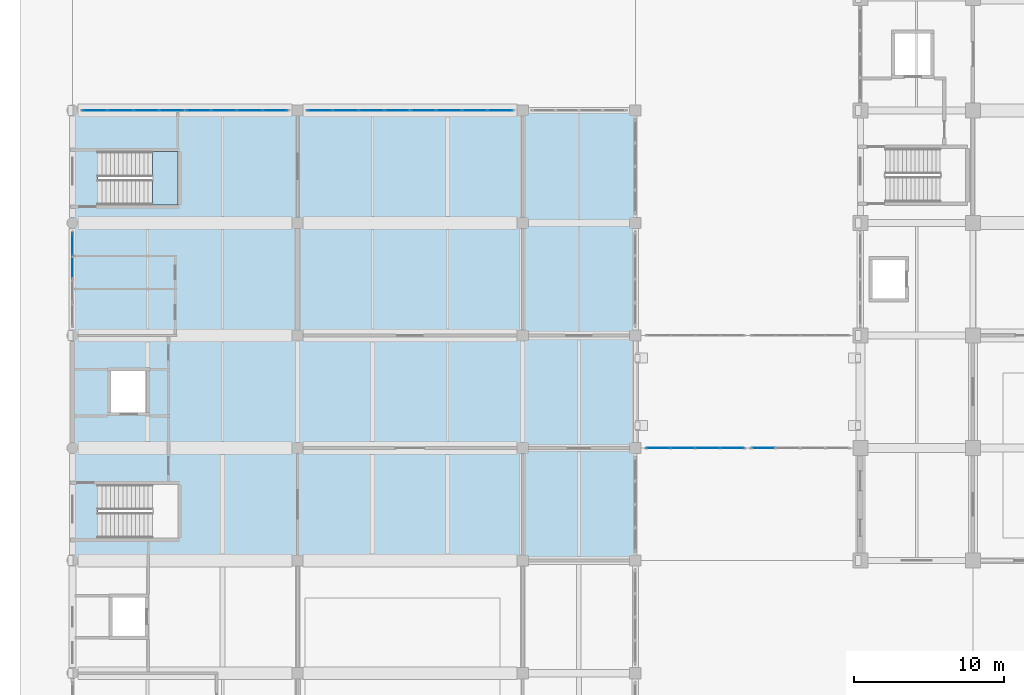
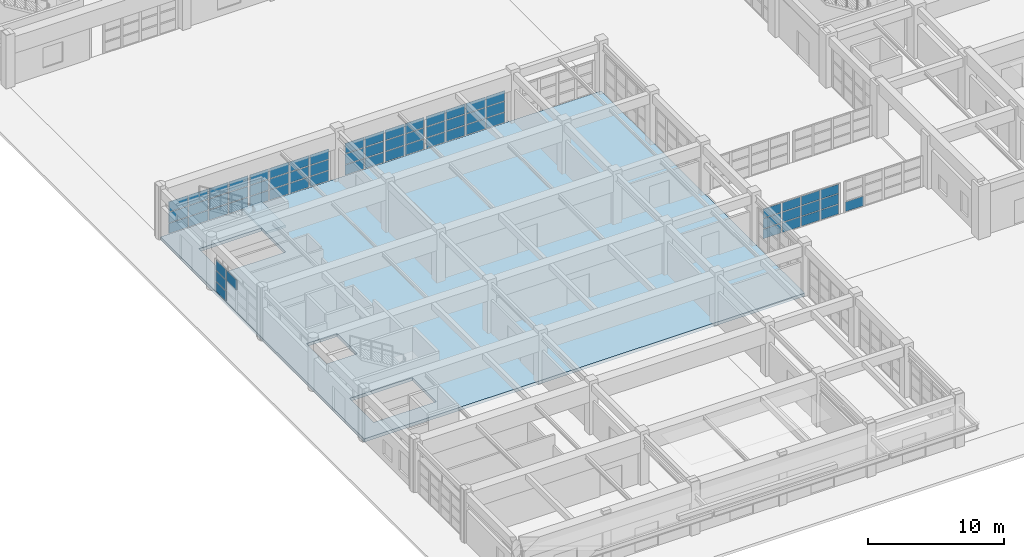
# One storey, part 72 of 122: 65 plates, 2 slabs, 8 elements without a shape of their own.
"""IFC4 building model written with IfcOpenShell, lengths in metres."""

from ifc_helpers import new_model, si_unit, direction, frame, origin, origin_2d, place, context, subcontext, project, spatial, polyline, rectangle, outline, extrude, material, layer, layer_set, type_object, element, aggregate, save


model = new_model("IFC4")

# Units and contexts
model_context = context("Model", 3, precision=1e-05, world=origin(), true_north=direction((0.0, 1.0)))
body_context = subcontext(model_context, "Body", "Model", "MODEL_VIEW")
ifc_project = project(units=[si_unit("LENGTHUNIT", "METRE"), si_unit("AREAUNIT", "SQUARE_METRE"), si_unit("VOLUMEUNIT", "CUBIC_METRE"), si_unit("PLANEANGLEUNIT", "RADIAN"), si_unit("MASSUNIT", "GRAM", prefix="KILO")], contexts=[model_context])

# Site, building, storey
site_placement = place(None, origin())
site = spatial("IfcSite", under=ifc_project, at=site_placement, CompositionType="ELEMENT")
building_placement = place(site_placement, origin())
building = spatial("IfcBuilding", under=site, at=building_placement, Name="Qasida Concert Hall", CompositionType="ELEMENT")
storey_placement = place(building_placement, origin())
storey = spatial("IfcBuildingStorey", under=building, at=storey_placement, Name="L00", CompositionType="ELEMENT", Elevation=0.0)

# Curtain wall, plates
ifc_material_1 = material(Name="Architectural bronze-anodized aluminium and low-E glass", Category="aluminium")
curtain_wall_type_1 = type_object("IfcCurtainWallType", Name="CW-06", PredefinedType="NOTDEFINED", material=ifc_material_1)
curtain_wall_1_placement = place(storey_placement, origin())
curtain_wall_1 = element("IfcCurtainWall", 1, at=curtain_wall_1_placement, inside=storey, type_object=curtain_wall_type_1, Name="L00 curtain wall CW-06 0068", PredefinedType="NOTDEFINED")
ifc_material_2 = material(Name="Solar-control low-E double glazing", Category="glass")
ifc_layer_1 = layer(ifc_material_2, 0.0400390625, Name="Solar-control low-E double glazing")
ifc_layer_set_1 = layer_set([ifc_layer_1], Name="Solar-control low-E double glazing")
plate_type_1 = type_object("IfcPlateType", Name="PLT-CWP-4", PredefinedType="CURTAIN_PANEL", material=ifc_layer_set_1)
plate_1_placement = place(storey_placement, frame((1.496337890625, 52.5, 0.06494140625), z_axis=(0.0, 0.0, 1.0), x_axis=(1.0, 0.0, 0.0)))
plate_1 = element("IfcPlate", 2, at=plate_1_placement, type_object=plate_type_1, Name="CW-06 panel 1.1", PredefinedType="CURTAIN_PANEL", context=body_context, shape_type="SweptSolid", body=[
    extrude(rectangle(XDim=1.612548828125, YDim=0.0400390625, at=origin_2d()), origin(), (0.0, 0.0, 1.0), 0.892578125),
])
plate_2_placement = place(storey_placement, frame((1.496337890625, 52.5, 1.0224609375), z_axis=(0.0, 0.0, 1.0), x_axis=(1.0, 0.0, 0.0)))
plate_2 = element("IfcPlate", 3, at=plate_2_placement, type_object=plate_type_1, Name="CW-06 panel 1.2", PredefinedType="CURTAIN_PANEL", context=body_context, shape_type="SweptSolid", body=[
    extrude(rectangle(XDim=1.612548828125, YDim=0.0400390625, at=origin_2d()), origin(), (0.0, 0.0, 1.0), 0.925048828125),
])
plate_3_placement = place(storey_placement, frame((1.496337890625, 52.5, 2.012451171875), z_axis=(0.0, 0.0, 1.0), x_axis=(1.0, 0.0, 0.0)))
plate_3 = element("IfcPlate", 4, at=plate_3_placement, type_object=plate_type_1, Name="CW-06 panel 1.3", PredefinedType="CURTAIN_PANEL", context=body_context, shape_type="SweptSolid", body=[
    extrude(rectangle(XDim=1.612548828125, YDim=0.0400390625, at=origin_2d()), origin(), (0.0, 0.0, 1.0), 0.892578125),
])
plate_4_placement = place(storey_placement, frame((3.1962890625, 52.5, 0.06494140625), z_axis=(0.0, 0.0, 1.0), x_axis=(1.0, 0.0, 0.0)))
plate_4 = element("IfcPlate", 5, at=plate_4_placement, type_object=plate_type_1, Name="CW-06 panel 2.1", PredefinedType="CURTAIN_PANEL", context=body_context, shape_type="SweptSolid", body=[
    extrude(rectangle(XDim=1.6474609375, YDim=0.0400390625, at=origin_2d()), origin(), (0.0, 0.0, 1.0), 0.892578125),
])
plate_5_placement = place(storey_placement, frame((3.1962890625, 52.5, 1.0224609375), z_axis=(0.0, 0.0, 1.0), x_axis=(1.0, 0.0, 0.0)))
plate_5 = element("IfcPlate", 6, at=plate_5_placement, type_object=plate_type_1, Name="CW-06 panel 2.2", PredefinedType="CURTAIN_PANEL", context=body_context, shape_type="SweptSolid", body=[
    extrude(rectangle(XDim=1.6474609375, YDim=0.0400390625, at=origin_2d()), origin(), (0.0, 0.0, 1.0), 0.925048828125),
])
plate_6_placement = place(storey_placement, frame((3.1962890625, 52.5, 2.012451171875), z_axis=(0.0, 0.0, 1.0), x_axis=(1.0, 0.0, 0.0)))
plate_6 = element("IfcPlate", 7, at=plate_6_placement, type_object=plate_type_1, Name="CW-06 panel 2.3", PredefinedType="CURTAIN_PANEL", context=body_context, shape_type="SweptSolid", body=[
    extrude(rectangle(XDim=1.6474609375, YDim=0.0400390625, at=origin_2d()), origin(), (0.0, 0.0, 1.0), 0.892578125),
])
plate_7_placement = place(storey_placement, frame((4.913818359375, 52.5, 0.06494140625), z_axis=(0.0, 0.0, 1.0), x_axis=(1.0, 0.0, 0.0)))
plate_7 = element("IfcPlate", 8, at=plate_7_placement, type_object=plate_type_1, Name="CW-06 panel 3.1", PredefinedType="CURTAIN_PANEL", context=body_context, shape_type="SweptSolid", body=[
    extrude(rectangle(XDim=1.6474609375, YDim=0.0400390625, at=origin_2d()), origin(), (0.0, 0.0, 1.0), 0.892578125),
])
plate_8_placement = place(storey_placement, frame((4.913818359375, 52.5, 1.0224609375), z_axis=(0.0, 0.0, 1.0), x_axis=(1.0, 0.0, 0.0)))
plate_8 = element("IfcPlate", 9, at=plate_8_placement, type_object=plate_type_1, Name="CW-06 panel 3.2", PredefinedType="CURTAIN_PANEL", context=body_context, shape_type="SweptSolid", body=[
    extrude(rectangle(XDim=1.6474609375, YDim=0.0400390625, at=origin_2d()), origin(), (0.0, 0.0, 1.0), 0.925048828125),
])
plate_9_placement = place(storey_placement, frame((4.913818359375, 52.5, 2.012451171875), z_axis=(0.0, 0.0, 1.0), x_axis=(1.0, 0.0, 0.0)))
plate_9 = element("IfcPlate", 10, at=plate_9_placement, type_object=plate_type_1, Name="CW-06 panel 3.3", PredefinedType="CURTAIN_PANEL", context=body_context, shape_type="SweptSolid", body=[
    extrude(rectangle(XDim=1.6474609375, YDim=0.0400390625, at=origin_2d()), origin(), (0.0, 0.0, 1.0), 0.892578125),
])
plate_10_placement = place(storey_placement, frame((6.61376953125, 52.5, 0.06494140625), z_axis=(0.0, 0.0, 1.0), x_axis=(1.0, 0.0, 0.0)))
plate_10 = element("IfcPlate", 11, at=plate_10_placement, type_object=plate_type_1, Name="CW-06 panel 4.1", PredefinedType="CURTAIN_PANEL", context=body_context, shape_type="SweptSolid", body=[
    extrude(rectangle(XDim=1.612548828125, YDim=0.0400390625, at=origin_2d()), origin(), (0.0, 0.0, 1.0), 0.892578125),
])
plate_11_placement = place(storey_placement, frame((6.61376953125, 52.5, 1.0224609375), z_axis=(0.0, 0.0, 1.0), x_axis=(1.0, 0.0, 0.0)))
plate_11 = element("IfcPlate", 12, at=plate_11_placement, type_object=plate_type_1, Name="CW-06 panel 4.2", PredefinedType="CURTAIN_PANEL", context=body_context, shape_type="SweptSolid", body=[
    extrude(rectangle(XDim=1.612548828125, YDim=0.0400390625, at=origin_2d()), origin(), (0.0, 0.0, 1.0), 0.925048828125),
])
plate_12_placement = place(storey_placement, frame((6.61376953125, 52.5, 2.012451171875), z_axis=(0.0, 0.0, 1.0), x_axis=(1.0, 0.0, 0.0)))
plate_12 = element("IfcPlate", 13, at=plate_12_placement, type_object=plate_type_1, Name="CW-06 panel 4.3", PredefinedType="CURTAIN_PANEL", context=body_context, shape_type="SweptSolid", body=[
    extrude(rectangle(XDim=1.612548828125, YDim=0.0400390625, at=origin_2d()), origin(), (0.0, 0.0, 1.0), 0.892578125),
])
aggregate(curtain_wall_1, [plate_1, plate_2, plate_3, plate_4, plate_5, plate_6, plate_7, plate_8, plate_9, plate_10, plate_11, plate_12])

curtain_wall_2_placement = place(storey_placement, origin())
curtain_wall_2 = element("IfcCurtainWall", 14, at=curtain_wall_2_placement, inside=storey, type_object=curtain_wall_type_1, Name="L00 curtain wall CW-06 0069", PredefinedType="NOTDEFINED")
plate_13_placement = place(storey_placement, frame((8.38623046875, 52.5, 0.06494140625), z_axis=(0.0, 0.0, 1.0), x_axis=(1.0, 0.0, 0.0)))
plate_13 = element("IfcPlate", 15, at=plate_13_placement, type_object=plate_type_1, Name="CW-06 panel 1.1", PredefinedType="CURTAIN_PANEL", context=body_context, shape_type="SweptSolid", body=[
    extrude(rectangle(XDim=1.612548828125, YDim=0.0400390625, at=origin_2d()), origin(), (0.0, 0.0, 1.0), 0.892578125),
])
plate_14_placement = place(storey_placement, frame((8.38623046875, 52.5, 1.0224609375), z_axis=(0.0, 0.0, 1.0), x_axis=(1.0, 0.0, 0.0)))
plate_14 = element("IfcPlate", 16, at=plate_14_placement, type_object=plate_type_1, Name="CW-06 panel 1.2", PredefinedType="CURTAIN_PANEL", context=body_context, shape_type="SweptSolid", body=[
    extrude(rectangle(XDim=1.612548828125, YDim=0.0400390625, at=origin_2d()), origin(), (0.0, 0.0, 1.0), 0.925048828125),
])
plate_15_placement = place(storey_placement, frame((8.38623046875, 52.5, 2.012451171875), z_axis=(0.0, 0.0, 1.0), x_axis=(1.0, 0.0, 0.0)))
plate_15 = element("IfcPlate", 17, at=plate_15_placement, type_object=plate_type_1, Name="CW-06 panel 1.3", PredefinedType="CURTAIN_PANEL", context=body_context, shape_type="SweptSolid", body=[
    extrude(rectangle(XDim=1.612548828125, YDim=0.0400390625, at=origin_2d()), origin(), (0.0, 0.0, 1.0), 0.892578125),
])
plate_16_placement = place(storey_placement, frame((10.086181640625, 52.5, 0.06494140625), z_axis=(0.0, 0.0, 1.0), x_axis=(1.0, 0.0, 0.0)))
plate_16 = element("IfcPlate", 18, at=plate_16_placement, type_object=plate_type_1, Name="CW-06 panel 2.1", PredefinedType="CURTAIN_PANEL", context=body_context, shape_type="SweptSolid", body=[
    extrude(rectangle(XDim=1.6474609375, YDim=0.0400390625, at=origin_2d()), origin(), (0.0, 0.0, 1.0), 0.892578125),
])
plate_17_placement = place(storey_placement, frame((10.086181640625, 52.5, 1.0224609375), z_axis=(0.0, 0.0, 1.0), x_axis=(1.0, 0.0, 0.0)))
plate_17 = element("IfcPlate", 19, at=plate_17_placement, type_object=plate_type_1, Name="CW-06 panel 2.2", PredefinedType="CURTAIN_PANEL", context=body_context, shape_type="SweptSolid", body=[
    extrude(rectangle(XDim=1.6474609375, YDim=0.0400390625, at=origin_2d()), origin(), (0.0, 0.0, 1.0), 0.925048828125),
])
plate_18_placement = place(storey_placement, frame((10.086181640625, 52.5, 2.012451171875), z_axis=(0.0, 0.0, 1.0), x_axis=(1.0, 0.0, 0.0)))
plate_18 = element("IfcPlate", 20, at=plate_18_placement, type_object=plate_type_1, Name="CW-06 panel 2.3", PredefinedType="CURTAIN_PANEL", context=body_context, shape_type="SweptSolid", body=[
    extrude(rectangle(XDim=1.6474609375, YDim=0.0400390625, at=origin_2d()), origin(), (0.0, 0.0, 1.0), 0.892578125),
])
plate_19_placement = place(storey_placement, frame((11.8037109375, 52.5, 0.06494140625), z_axis=(0.0, 0.0, 1.0), x_axis=(1.0, 0.0, 0.0)))
plate_19 = element("IfcPlate", 21, at=plate_19_placement, type_object=plate_type_1, Name="CW-06 panel 3.1", PredefinedType="CURTAIN_PANEL", context=body_context, shape_type="SweptSolid", body=[
    extrude(rectangle(XDim=1.6474609375, YDim=0.0400390625, at=origin_2d()), origin(), (0.0, 0.0, 1.0), 0.892578125),
])
plate_20_placement = place(storey_placement, frame((11.8037109375, 52.5, 1.0224609375), z_axis=(0.0, 0.0, 1.0), x_axis=(1.0, 0.0, 0.0)))
plate_20 = element("IfcPlate", 22, at=plate_20_placement, type_object=plate_type_1, Name="CW-06 panel 3.2", PredefinedType="CURTAIN_PANEL", context=body_context, shape_type="SweptSolid", body=[
    extrude(rectangle(XDim=1.6474609375, YDim=0.0400390625, at=origin_2d()), origin(), (0.0, 0.0, 1.0), 0.925048828125),
])
plate_21_placement = place(storey_placement, frame((11.8037109375, 52.5, 2.012451171875), z_axis=(0.0, 0.0, 1.0), x_axis=(1.0, 0.0, 0.0)))
plate_21 = element("IfcPlate", 23, at=plate_21_placement, type_object=plate_type_1, Name="CW-06 panel 3.3", PredefinedType="CURTAIN_PANEL", context=body_context, shape_type="SweptSolid", body=[
    extrude(rectangle(XDim=1.6474609375, YDim=0.0400390625, at=origin_2d()), origin(), (0.0, 0.0, 1.0), 0.892578125),
])
plate_22_placement = place(storey_placement, frame((13.503662109375, 52.5, 0.06494140625), z_axis=(0.0, 0.0, 1.0), x_axis=(1.0, 0.0, 0.0)))
plate_22 = element("IfcPlate", 24, at=plate_22_placement, type_object=plate_type_1, Name="CW-06 panel 4.1", PredefinedType="CURTAIN_PANEL", context=body_context, shape_type="SweptSolid", body=[
    extrude(rectangle(XDim=1.612548828125, YDim=0.0400390625, at=origin_2d()), origin(), (0.0, 0.0, 1.0), 0.892578125),
])
plate_23_placement = place(storey_placement, frame((13.503662109375, 52.5, 1.0224609375), z_axis=(0.0, 0.0, 1.0), x_axis=(1.0, 0.0, 0.0)))
plate_23 = element("IfcPlate", 25, at=plate_23_placement, type_object=plate_type_1, Name="CW-06 panel 4.2", PredefinedType="CURTAIN_PANEL", context=body_context, shape_type="SweptSolid", body=[
    extrude(rectangle(XDim=1.612548828125, YDim=0.0400390625, at=origin_2d()), origin(), (0.0, 0.0, 1.0), 0.925048828125),
])
plate_24_placement = place(storey_placement, frame((13.503662109375, 52.5, 2.012451171875), z_axis=(0.0, 0.0, 1.0), x_axis=(1.0, 0.0, 0.0)))
plate_24 = element("IfcPlate", 26, at=plate_24_placement, type_object=plate_type_1, Name="CW-06 panel 4.3", PredefinedType="CURTAIN_PANEL", context=body_context, shape_type="SweptSolid", body=[
    extrude(rectangle(XDim=1.612548828125, YDim=0.0400390625, at=origin_2d()), origin(), (0.0, 0.0, 1.0), 0.892578125),
])
aggregate(curtain_wall_2, [plate_13, plate_14, plate_15, plate_16, plate_17, plate_18, plate_19, plate_20, plate_21, plate_22, plate_23, plate_24])

curtain_wall_3_placement = place(storey_placement, origin())
curtain_wall_3 = element("IfcCurtainWall", 27, at=curtain_wall_3_placement, inside=storey, type_object=curtain_wall_type_1, Name="L00 curtain wall CW-06 0070", PredefinedType="NOTDEFINED")
plate_25_placement = place(storey_placement, frame((16.496337890625, 52.5, 0.06494140625), z_axis=(0.0, 0.0, 1.0), x_axis=(1.0, 0.0, 0.0)))
plate_25 = element("IfcPlate", 28, at=plate_25_placement, type_object=plate_type_1, Name="CW-06 panel 1.1", PredefinedType="CURTAIN_PANEL", context=body_context, shape_type="SweptSolid", body=[
    extrude(rectangle(XDim=1.612548828125, YDim=0.0400390625, at=origin_2d()), origin(), (0.0, 0.0, 1.0), 0.892578125),
])
plate_26_placement = place(storey_placement, frame((16.496337890625, 52.5, 1.0224609375), z_axis=(0.0, 0.0, 1.0), x_axis=(1.0, 0.0, 0.0)))
plate_26 = element("IfcPlate", 29, at=plate_26_placement, type_object=plate_type_1, Name="CW-06 panel 1.2", PredefinedType="CURTAIN_PANEL", context=body_context, shape_type="SweptSolid", body=[
    extrude(rectangle(XDim=1.612548828125, YDim=0.0400390625, at=origin_2d()), origin(), (0.0, 0.0, 1.0), 0.925048828125),
])
plate_27_placement = place(storey_placement, frame((16.496337890625, 52.5, 2.012451171875), z_axis=(0.0, 0.0, 1.0), x_axis=(1.0, 0.0, 0.0)))
plate_27 = element("IfcPlate", 30, at=plate_27_placement, type_object=plate_type_1, Name="CW-06 panel 1.3", PredefinedType="CURTAIN_PANEL", context=body_context, shape_type="SweptSolid", body=[
    extrude(rectangle(XDim=1.612548828125, YDim=0.0400390625, at=origin_2d()), origin(), (0.0, 0.0, 1.0), 0.892578125),
])
plate_28_placement = place(storey_placement, frame((18.1962890625, 52.5, 0.06494140625), z_axis=(0.0, 0.0, 1.0), x_axis=(1.0, 0.0, 0.0)))
plate_28 = element("IfcPlate", 31, at=plate_28_placement, type_object=plate_type_1, Name="CW-06 panel 2.1", PredefinedType="CURTAIN_PANEL", context=body_context, shape_type="SweptSolid", body=[
    extrude(rectangle(XDim=1.6474609375, YDim=0.0400390625, at=origin_2d()), origin(), (0.0, 0.0, 1.0), 0.892578125),
])
plate_29_placement = place(storey_placement, frame((18.1962890625, 52.5, 1.0224609375), z_axis=(0.0, 0.0, 1.0), x_axis=(1.0, 0.0, 0.0)))
plate_29 = element("IfcPlate", 32, at=plate_29_placement, type_object=plate_type_1, Name="CW-06 panel 2.2", PredefinedType="CURTAIN_PANEL", context=body_context, shape_type="SweptSolid", body=[
    extrude(rectangle(XDim=1.6474609375, YDim=0.0400390625, at=origin_2d()), origin(), (0.0, 0.0, 1.0), 0.925048828125),
])
plate_30_placement = place(storey_placement, frame((18.1962890625, 52.5, 2.012451171875), z_axis=(0.0, 0.0, 1.0), x_axis=(1.0, 0.0, 0.0)))
plate_30 = element("IfcPlate", 33, at=plate_30_placement, type_object=plate_type_1, Name="CW-06 panel 2.3", PredefinedType="CURTAIN_PANEL", context=body_context, shape_type="SweptSolid", body=[
    extrude(rectangle(XDim=1.6474609375, YDim=0.0400390625, at=origin_2d()), origin(), (0.0, 0.0, 1.0), 0.892578125),
])
plate_31_placement = place(storey_placement, frame((19.913818359375, 52.5, 0.06494140625), z_axis=(0.0, 0.0, 1.0), x_axis=(1.0, 0.0, 0.0)))
plate_31 = element("IfcPlate", 34, at=plate_31_placement, type_object=plate_type_1, Name="CW-06 panel 3.1", PredefinedType="CURTAIN_PANEL", context=body_context, shape_type="SweptSolid", body=[
    extrude(rectangle(XDim=1.6474609375, YDim=0.0400390625, at=origin_2d()), origin(), (0.0, 0.0, 1.0), 0.892578125),
])
plate_32_placement = place(storey_placement, frame((19.913818359375, 52.5, 1.0224609375), z_axis=(0.0, 0.0, 1.0), x_axis=(1.0, 0.0, 0.0)))
plate_32 = element("IfcPlate", 35, at=plate_32_placement, type_object=plate_type_1, Name="CW-06 panel 3.2", PredefinedType="CURTAIN_PANEL", context=body_context, shape_type="SweptSolid", body=[
    extrude(rectangle(XDim=1.6474609375, YDim=0.0400390625, at=origin_2d()), origin(), (0.0, 0.0, 1.0), 0.925048828125),
])
plate_33_placement = place(storey_placement, frame((19.913818359375, 52.5, 2.012451171875), z_axis=(0.0, 0.0, 1.0), x_axis=(1.0, 0.0, 0.0)))
plate_33 = element("IfcPlate", 36, at=plate_33_placement, type_object=plate_type_1, Name="CW-06 panel 3.3", PredefinedType="CURTAIN_PANEL", context=body_context, shape_type="SweptSolid", body=[
    extrude(rectangle(XDim=1.6474609375, YDim=0.0400390625, at=origin_2d()), origin(), (0.0, 0.0, 1.0), 0.892578125),
])
plate_34_placement = place(storey_placement, frame((21.61376953125, 52.5, 0.06494140625), z_axis=(0.0, 0.0, 1.0), x_axis=(1.0, 0.0, 0.0)))
plate_34 = element("IfcPlate", 37, at=plate_34_placement, type_object=plate_type_1, Name="CW-06 panel 4.1", PredefinedType="CURTAIN_PANEL", context=body_context, shape_type="SweptSolid", body=[
    extrude(rectangle(XDim=1.612548828125, YDim=0.0400390625, at=origin_2d()), origin(), (0.0, 0.0, 1.0), 0.892578125),
])
plate_35_placement = place(storey_placement, frame((21.61376953125, 52.5, 1.0224609375), z_axis=(0.0, 0.0, 1.0), x_axis=(1.0, 0.0, 0.0)))
plate_35 = element("IfcPlate", 38, at=plate_35_placement, type_object=plate_type_1, Name="CW-06 panel 4.2", PredefinedType="CURTAIN_PANEL", context=body_context, shape_type="SweptSolid", body=[
    extrude(rectangle(XDim=1.612548828125, YDim=0.0400390625, at=origin_2d()), origin(), (0.0, 0.0, 1.0), 0.925048828125),
])
plate_36_placement = place(storey_placement, frame((21.61376953125, 52.5, 2.012451171875), z_axis=(0.0, 0.0, 1.0), x_axis=(1.0, 0.0, 0.0)))
plate_36 = element("IfcPlate", 39, at=plate_36_placement, type_object=plate_type_1, Name="CW-06 panel 4.3", PredefinedType="CURTAIN_PANEL", context=body_context, shape_type="SweptSolid", body=[
    extrude(rectangle(XDim=1.612548828125, YDim=0.0400390625, at=origin_2d()), origin(), (0.0, 0.0, 1.0), 0.892578125),
])
aggregate(curtain_wall_3, [plate_25, plate_26, plate_27, plate_28, plate_29, plate_30, plate_31, plate_32, plate_33, plate_34, plate_35, plate_36])

curtain_wall_4_placement = place(storey_placement, origin())
curtain_wall_4 = element("IfcCurtainWall", 40, at=curtain_wall_4_placement, inside=storey, type_object=curtain_wall_type_1, Name="L00 curtain wall CW-06 0071", PredefinedType="NOTDEFINED")
plate_37_placement = place(storey_placement, frame((23.38623046875, 52.5, 0.06494140625), z_axis=(0.0, 0.0, 1.0), x_axis=(1.0, 0.0, 0.0)))
plate_37 = element("IfcPlate", 41, at=plate_37_placement, type_object=plate_type_1, Name="CW-06 panel 1.1", PredefinedType="CURTAIN_PANEL", context=body_context, shape_type="SweptSolid", body=[
    extrude(rectangle(XDim=1.612548828125, YDim=0.0400390625, at=origin_2d()), origin(), (0.0, 0.0, 1.0), 0.892578125),
])
plate_38_placement = place(storey_placement, frame((23.38623046875, 52.5, 1.0224609375), z_axis=(0.0, 0.0, 1.0), x_axis=(1.0, 0.0, 0.0)))
plate_38 = element("IfcPlate", 42, at=plate_38_placement, type_object=plate_type_1, Name="CW-06 panel 1.2", PredefinedType="CURTAIN_PANEL", context=body_context, shape_type="SweptSolid", body=[
    extrude(rectangle(XDim=1.612548828125, YDim=0.0400390625, at=origin_2d()), origin(), (0.0, 0.0, 1.0), 0.925048828125),
])
plate_39_placement = place(storey_placement, frame((23.38623046875, 52.5, 2.012451171875), z_axis=(0.0, 0.0, 1.0), x_axis=(1.0, 0.0, 0.0)))
plate_39 = element("IfcPlate", 43, at=plate_39_placement, type_object=plate_type_1, Name="CW-06 panel 1.3", PredefinedType="CURTAIN_PANEL", context=body_context, shape_type="SweptSolid", body=[
    extrude(rectangle(XDim=1.612548828125, YDim=0.0400390625, at=origin_2d()), origin(), (0.0, 0.0, 1.0), 0.892578125),
])
plate_40_placement = place(storey_placement, frame((25.086181640625, 52.5, 0.06494140625), z_axis=(0.0, 0.0, 1.0), x_axis=(1.0, 0.0, 0.0)))
plate_40 = element("IfcPlate", 44, at=plate_40_placement, type_object=plate_type_1, Name="CW-06 panel 2.1", PredefinedType="CURTAIN_PANEL", context=body_context, shape_type="SweptSolid", body=[
    extrude(rectangle(XDim=1.6474609375, YDim=0.0400390625, at=origin_2d()), origin(), (0.0, 0.0, 1.0), 0.892578125),
])
plate_41_placement = place(storey_placement, frame((25.086181640625, 52.5, 1.0224609375), z_axis=(0.0, 0.0, 1.0), x_axis=(1.0, 0.0, 0.0)))
plate_41 = element("IfcPlate", 45, at=plate_41_placement, type_object=plate_type_1, Name="CW-06 panel 2.2", PredefinedType="CURTAIN_PANEL", context=body_context, shape_type="SweptSolid", body=[
    extrude(rectangle(XDim=1.6474609375, YDim=0.0400390625, at=origin_2d()), origin(), (0.0, 0.0, 1.0), 0.925048828125),
])
plate_42_placement = place(storey_placement, frame((25.086181640625, 52.5, 2.012451171875), z_axis=(0.0, 0.0, 1.0), x_axis=(1.0, 0.0, 0.0)))
plate_42 = element("IfcPlate", 46, at=plate_42_placement, type_object=plate_type_1, Name="CW-06 panel 2.3", PredefinedType="CURTAIN_PANEL", context=body_context, shape_type="SweptSolid", body=[
    extrude(rectangle(XDim=1.6474609375, YDim=0.0400390625, at=origin_2d()), origin(), (0.0, 0.0, 1.0), 0.892578125),
])
plate_43_placement = place(storey_placement, frame((26.8037109375, 52.5, 0.06494140625), z_axis=(0.0, 0.0, 1.0), x_axis=(1.0, 0.0, 0.0)))
plate_43 = element("IfcPlate", 47, at=plate_43_placement, type_object=plate_type_1, Name="CW-06 panel 3.1", PredefinedType="CURTAIN_PANEL", context=body_context, shape_type="SweptSolid", body=[
    extrude(rectangle(XDim=1.6474609375, YDim=0.0400390625, at=origin_2d()), origin(), (0.0, 0.0, 1.0), 0.892578125),
])
plate_44_placement = place(storey_placement, frame((26.8037109375, 52.5, 1.0224609375), z_axis=(0.0, 0.0, 1.0), x_axis=(1.0, 0.0, 0.0)))
plate_44 = element("IfcPlate", 48, at=plate_44_placement, type_object=plate_type_1, Name="CW-06 panel 3.2", PredefinedType="CURTAIN_PANEL", context=body_context, shape_type="SweptSolid", body=[
    extrude(rectangle(XDim=1.6474609375, YDim=0.0400390625, at=origin_2d()), origin(), (0.0, 0.0, 1.0), 0.925048828125),
])
plate_45_placement = place(storey_placement, frame((26.8037109375, 52.5, 2.012451171875), z_axis=(0.0, 0.0, 1.0), x_axis=(1.0, 0.0, 0.0)))
plate_45 = element("IfcPlate", 49, at=plate_45_placement, type_object=plate_type_1, Name="CW-06 panel 3.3", PredefinedType="CURTAIN_PANEL", context=body_context, shape_type="SweptSolid", body=[
    extrude(rectangle(XDim=1.6474609375, YDim=0.0400390625, at=origin_2d()), origin(), (0.0, 0.0, 1.0), 0.892578125),
])
plate_46_placement = place(storey_placement, frame((28.503662109375, 52.5, 0.06494140625), z_axis=(0.0, 0.0, 1.0), x_axis=(1.0, 0.0, 0.0)))
plate_46 = element("IfcPlate", 50, at=plate_46_placement, type_object=plate_type_1, Name="CW-06 panel 4.1", PredefinedType="CURTAIN_PANEL", context=body_context, shape_type="SweptSolid", body=[
    extrude(rectangle(XDim=1.612548828125, YDim=0.0400390625, at=origin_2d()), origin(), (0.0, 0.0, 1.0), 0.892578125),
])
plate_47_placement = place(storey_placement, frame((28.503662109375, 52.5, 1.0224609375), z_axis=(0.0, 0.0, 1.0), x_axis=(1.0, 0.0, 0.0)))
plate_47 = element("IfcPlate", 51, at=plate_47_placement, type_object=plate_type_1, Name="CW-06 panel 4.2", PredefinedType="CURTAIN_PANEL", context=body_context, shape_type="SweptSolid", body=[
    extrude(rectangle(XDim=1.612548828125, YDim=0.0400390625, at=origin_2d()), origin(), (0.0, 0.0, 1.0), 0.925048828125),
])
plate_48_placement = place(storey_placement, frame((28.503662109375, 52.5, 2.012451171875), z_axis=(0.0, 0.0, 1.0), x_axis=(1.0, 0.0, 0.0)))
plate_48 = element("IfcPlate", 52, at=plate_48_placement, type_object=plate_type_1, Name="CW-06 panel 4.3", PredefinedType="CURTAIN_PANEL", context=body_context, shape_type="SweptSolid", body=[
    extrude(rectangle(XDim=1.612548828125, YDim=0.0400390625, at=origin_2d()), origin(), (0.0, 0.0, 1.0), 0.892578125),
])
aggregate(curtain_wall_4, [plate_37, plate_38, plate_39, plate_40, plate_41, plate_42, plate_43, plate_44, plate_45, plate_46, plate_47, plate_48])

curtain_wall_5_placement = place(storey_placement, origin())
curtain_wall_5 = element("IfcCurtainWall", 53, at=curtain_wall_5_placement, inside=storey, type_object=curtain_wall_type_1, Name="L00 curtain wall CW-06 0078", PredefinedType="NOTDEFINED")
plate_49_placement = place(storey_placement, frame((0.0, 42.032470703125, 2.012451171875), z_axis=(0.0, 0.0, 1.0), x_axis=(0.0, 1.0, 0.0)))
plate_49 = element("IfcPlate", 54, at=plate_49_placement, type_object=plate_type_1, Name="CW-06 panel 3.3", PredefinedType="CURTAIN_PANEL", context=body_context, shape_type="SweptSolid", body=[
    extrude(rectangle(XDim=1.4951171875, YDim=0.0400390625, at=origin_2d()), origin(), (0.0, 0.0, 1.0), 0.892578125),
])
plate_50_placement = place(storey_placement, frame((0.0, 43.580078125, 0.06494140625), z_axis=(0.0, 0.0, 1.0), x_axis=(0.0, 1.0, 0.0)))
plate_50 = element("IfcPlate", 55, at=plate_50_placement, type_object=plate_type_1, Name="CW-06 panel 4.1", PredefinedType="CURTAIN_PANEL", context=body_context, shape_type="SweptSolid", body=[
    extrude(rectangle(XDim=1.4599609375, YDim=0.0400390625, at=origin_2d()), origin(), (0.0, 0.0, 1.0), 0.892578125),
])
plate_51_placement = place(storey_placement, frame((0.0, 43.580078125, 1.0224609375), z_axis=(0.0, 0.0, 1.0), x_axis=(0.0, 1.0, 0.0)))
plate_51 = element("IfcPlate", 56, at=plate_51_placement, type_object=plate_type_1, Name="CW-06 panel 4.2", PredefinedType="CURTAIN_PANEL", context=body_context, shape_type="SweptSolid", body=[
    extrude(rectangle(XDim=1.4599609375, YDim=0.0400390625, at=origin_2d()), origin(), (0.0, 0.0, 1.0), 0.925048828125),
])
plate_52_placement = place(storey_placement, frame((0.0, 43.580078125, 2.012451171875), z_axis=(0.0, 0.0, 1.0), x_axis=(0.0, 1.0, 0.0)))
plate_52 = element("IfcPlate", 57, at=plate_52_placement, type_object=plate_type_1, Name="CW-06 panel 4.3", PredefinedType="CURTAIN_PANEL", context=body_context, shape_type="SweptSolid", body=[
    extrude(rectangle(XDim=1.4599609375, YDim=0.0400390625, at=origin_2d()), origin(), (0.0, 0.0, 1.0), 0.892578125),
])
aggregate(curtain_wall_5, [plate_49, plate_50, plate_51, plate_52])

curtain_wall_type_2 = type_object("IfcCurtainWallType", Name="CW-08", PredefinedType="NOTDEFINED", material=ifc_material_1)
curtain_wall_6_placement = place(storey_placement, origin())
curtain_wall_6 = element("IfcCurtainWall", 58, at=curtain_wall_6_placement, inside=storey, type_object=curtain_wall_type_2, Name="L00 link bridge glazing 0194", PredefinedType="NOTDEFINED")
ifc_layer_2 = layer(ifc_material_2, 0.02392578125, Name="Solar-control low-E double glazing")
ifc_layer_set_2 = layer_set([ifc_layer_2], Name="Solar-control low-E double glazing")
plate_type_2 = type_object("IfcPlateType", Name="PLT-CWP-5", PredefinedType="CURTAIN_PANEL", material=ifc_layer_set_2)
plate_53_placement = place(storey_placement, frame((39.041259765625, 30.0, 0.06005859375), z_axis=(0.0, 0.0, 1.0), x_axis=(1.0, 0.0, 0.0)))
plate_53 = element("IfcPlate", 59, at=plate_53_placement, type_object=plate_type_2, Name="CW-08 panel 1.1", PredefinedType="CURTAIN_PANEL", context=body_context, shape_type="SweptSolid", body=[
    extrude(rectangle(XDim=1.552490234375, YDim=0.02392578125, at=origin_2d()), origin(), (0.0, 0.0, 1.0), 0.860107421875),
])
plate_54_placement = place(storey_placement, frame((39.041259765625, 30.0, 0.97998046875), z_axis=(0.0, 0.0, 1.0), x_axis=(1.0, 0.0, 0.0)))
plate_54 = element("IfcPlate", 60, at=plate_54_placement, type_object=plate_type_2, Name="CW-08 panel 1.2", PredefinedType="CURTAIN_PANEL", context=body_context, shape_type="SweptSolid", body=[
    extrude(rectangle(XDim=1.552490234375, YDim=0.02392578125, at=origin_2d()), origin(), (0.0, 0.0, 1.0), 0.889892578125),
])
plate_55_placement = place(storey_placement, frame((39.041259765625, 30.0, 1.929931640625), z_axis=(0.0, 0.0, 1.0), x_axis=(1.0, 0.0, 0.0)))
plate_55 = element("IfcPlate", 61, at=plate_55_placement, type_object=plate_type_2, Name="CW-08 panel 1.3", PredefinedType="CURTAIN_PANEL", context=body_context, shape_type="SweptSolid", body=[
    extrude(rectangle(XDim=1.552490234375, YDim=0.02392578125, at=origin_2d()), origin(), (0.0, 0.0, 1.0), 0.81005859375),
])
plate_56_placement = place(storey_placement, frame((40.675048828125, 30.0, 0.06005859375), z_axis=(0.0, 0.0, 1.0), x_axis=(1.0, 0.0, 0.0)))
plate_56 = element("IfcPlate", 62, at=plate_56_placement, type_object=plate_type_2, Name="CW-08 panel 2.1", PredefinedType="CURTAIN_PANEL", context=body_context, shape_type="SweptSolid", body=[
    extrude(rectangle(XDim=1.5849609375, YDim=0.02392578125, at=origin_2d()), origin(), (0.0, 0.0, 1.0), 0.860107421875),
])
plate_57_placement = place(storey_placement, frame((40.675048828125, 30.0, 0.97998046875), z_axis=(0.0, 0.0, 1.0), x_axis=(1.0, 0.0, 0.0)))
plate_57 = element("IfcPlate", 63, at=plate_57_placement, type_object=plate_type_2, Name="CW-08 panel 2.2", PredefinedType="CURTAIN_PANEL", context=body_context, shape_type="SweptSolid", body=[
    extrude(rectangle(XDim=1.5849609375, YDim=0.02392578125, at=origin_2d()), origin(), (0.0, 0.0, 1.0), 0.889892578125),
])
plate_58_placement = place(storey_placement, frame((40.675048828125, 30.0, 1.929931640625), z_axis=(0.0, 0.0, 1.0), x_axis=(1.0, 0.0, 0.0)))
plate_58 = element("IfcPlate", 64, at=plate_58_placement, type_object=plate_type_2, Name="CW-08 panel 2.3", PredefinedType="CURTAIN_PANEL", context=body_context, shape_type="SweptSolid", body=[
    extrude(rectangle(XDim=1.5849609375, YDim=0.02392578125, at=origin_2d()), origin(), (0.0, 0.0, 1.0), 0.81005859375),
])
plate_59_placement = place(storey_placement, frame((42.324951171875, 30.0, 0.06005859375), z_axis=(0.0, 0.0, 1.0), x_axis=(1.0, 0.0, 0.0)))
plate_59 = element("IfcPlate", 65, at=plate_59_placement, type_object=plate_type_2, Name="CW-08 panel 3.1", PredefinedType="CURTAIN_PANEL", context=body_context, shape_type="SweptSolid", body=[
    extrude(rectangle(XDim=1.5849609375, YDim=0.02392578125, at=origin_2d()), origin(), (0.0, 0.0, 1.0), 0.860107421875),
])
plate_60_placement = place(storey_placement, frame((42.324951171875, 30.0, 0.97998046875), z_axis=(0.0, 0.0, 1.0), x_axis=(1.0, 0.0, 0.0)))
plate_60 = element("IfcPlate", 66, at=plate_60_placement, type_object=plate_type_2, Name="CW-08 panel 3.2", PredefinedType="CURTAIN_PANEL", context=body_context, shape_type="SweptSolid", body=[
    extrude(rectangle(XDim=1.5849609375, YDim=0.02392578125, at=origin_2d()), origin(), (0.0, 0.0, 1.0), 0.889892578125),
])
plate_61_placement = place(storey_placement, frame((42.324951171875, 30.0, 1.929931640625), z_axis=(0.0, 0.0, 1.0), x_axis=(1.0, 0.0, 0.0)))
plate_61 = element("IfcPlate", 67, at=plate_61_placement, type_object=plate_type_2, Name="CW-08 panel 3.3", PredefinedType="CURTAIN_PANEL", context=body_context, shape_type="SweptSolid", body=[
    extrude(rectangle(XDim=1.5849609375, YDim=0.02392578125, at=origin_2d()), origin(), (0.0, 0.0, 1.0), 0.81005859375),
])
plate_62_placement = place(storey_placement, frame((43.958740234375, 30.0, 0.06005859375), z_axis=(0.0, 0.0, 1.0), x_axis=(1.0, 0.0, 0.0)))
plate_62 = element("IfcPlate", 68, at=plate_62_placement, type_object=plate_type_2, Name="CW-08 panel 4.1", PredefinedType="CURTAIN_PANEL", context=body_context, shape_type="SweptSolid", body=[
    extrude(rectangle(XDim=1.552490234375, YDim=0.02392578125, at=origin_2d()), origin(), (0.0, 0.0, 1.0), 0.860107421875),
])
plate_63_placement = place(storey_placement, frame((43.958740234375, 30.0, 0.97998046875), z_axis=(0.0, 0.0, 1.0), x_axis=(1.0, 0.0, 0.0)))
plate_63 = element("IfcPlate", 69, at=plate_63_placement, type_object=plate_type_2, Name="CW-08 panel 4.2", PredefinedType="CURTAIN_PANEL", context=body_context, shape_type="SweptSolid", body=[
    extrude(rectangle(XDim=1.552490234375, YDim=0.02392578125, at=origin_2d()), origin(), (0.0, 0.0, 1.0), 0.889892578125),
])
plate_64_placement = place(storey_placement, frame((43.958740234375, 30.0, 1.929931640625), z_axis=(0.0, 0.0, 1.0), x_axis=(1.0, 0.0, 0.0)))
plate_64 = element("IfcPlate", 70, at=plate_64_placement, type_object=plate_type_2, Name="CW-08 panel 4.3", PredefinedType="CURTAIN_PANEL", context=body_context, shape_type="SweptSolid", body=[
    extrude(rectangle(XDim=1.552490234375, YDim=0.02392578125, at=origin_2d()), origin(), (0.0, 0.0, 1.0), 0.81005859375),
])
aggregate(curtain_wall_6, [plate_53, plate_54, plate_55, plate_56, plate_57, plate_58, plate_59, plate_60, plate_61, plate_62, plate_63, plate_64])

# Curtain wall, plate
curtain_wall_7_placement = place(storey_placement, origin())
curtain_wall_7 = element("IfcCurtainWall", 71, at=curtain_wall_7_placement, inside=storey, type_object=curtain_wall_type_2, Name="L00 link bridge glazing 0196", PredefinedType="NOTDEFINED")
plate_65_placement = place(storey_placement, frame((46.041259765625, 30.0, 0.06005859375), z_axis=(0.0, 0.0, 1.0), x_axis=(1.0, 0.0, 0.0)))
plate_65 = element("IfcPlate", 72, at=plate_65_placement, type_object=plate_type_2, Name="CW-08 panel 1.1", PredefinedType="CURTAIN_PANEL", context=body_context, shape_type="SweptSolid", body=[
    extrude(rectangle(XDim=1.552490234375, YDim=0.02392578125, at=origin_2d()), origin(), (0.0, 0.0, 1.0), 0.860107421875),
])
aggregate(curtain_wall_7, [plate_65])

# Slab
ifc_material_3 = material(Name="Concrete C40/50", Category="concrete")
ifc_layer_3 = layer(ifc_material_3, 0.280029296875, Name="Concrete C40/50")
ifc_layer_set_3 = layer_set([ifc_layer_3], Name="Concrete C40/50")
slab_type_1 = type_object("IfcSlabType", Name="SL-FS-280", PredefinedType="FLOOR", material=ifc_layer_set_3)
slab_1_placement = place(storey_placement, frame((0.0, 0.0, -0.280029296875)))
element("IfcSlab", 73, at=slab_1_placement, inside=storey, type_object=slab_type_1, Name="V3 cafe & shop north (FS-280)", PredefinedType="FLOOR", context=body_context, shape_type="SweptSolid", body=[
    extrude(outline(polyline([(0.0, 22.5), (37.5, 22.5), (37.5, 52.5), (0.0, 52.5), (0.0, 22.5)]), holes=[polyline([(1.68994140625, 24.0), (7.02001953125, 24.0), (7.02001953125, 27.56005859375), (1.68994140625, 27.56005859375), (1.68994140625, 24.0)]), polyline([(2.449951171875, 32.25), (5.050048828125, 32.25), (5.050048828125, 35.25), (2.449951171875, 35.25), (2.449951171875, 32.25)]), polyline([(1.68994140625, 46.199951171875), (7.02001953125, 46.199951171875), (7.02001953125, 49.760009765625), (1.68994140625, 49.760009765625), (1.68994140625, 46.199951171875)])]), origin(), (0.0, 0.0, 1.0), 0.280029296875),
])

# Stair, slab
stair_type = type_object("IfcStairType", Name="ST-DL-168", PredefinedType="HALF_TURN_STAIR", material=ifc_material_3)
stair_placement = place(storey_placement, origin())
stair = element("IfcStair", 74, at=stair_placement, inside=storey, type_object=stair_type, Name="L00 Exit stair ST-04", PredefinedType="HALF_TURN_STAIR")
ifc_layer_4 = layer(ifc_material_3, 0.199951171875, Name="Concrete C40/50")
ifc_layer_set_4 = layer_set([ifc_layer_4], Name="Concrete C40/50")
slab_type_2 = type_object("IfcSlabType", Name="SL-LND-200", PredefinedType="LANDING", material=ifc_layer_set_4)
slab_2_placement = place(storey_placement, frame((0.0, 0.0, 2.199951171875)))
slab_2 = element("IfcSlab", 75, at=slab_2_placement, type_object=slab_type_2, Name="ST-04 landing 1", PredefinedType="LANDING", context=body_context, shape_type="SweptSolid", body=[
    extrude(outline(polyline([(5.320068359375, 46.199951171875), (7.02001953125, 46.199951171875), (7.02001953125, 49.760009765625), (5.320068359375, 49.760009765625), (5.320068359375, 46.199951171875)])), origin(), (0.0, 0.0, 1.0), 0.199951171875),
])
aggregate(stair, [slab_2])

save(model, "model.ifc")
